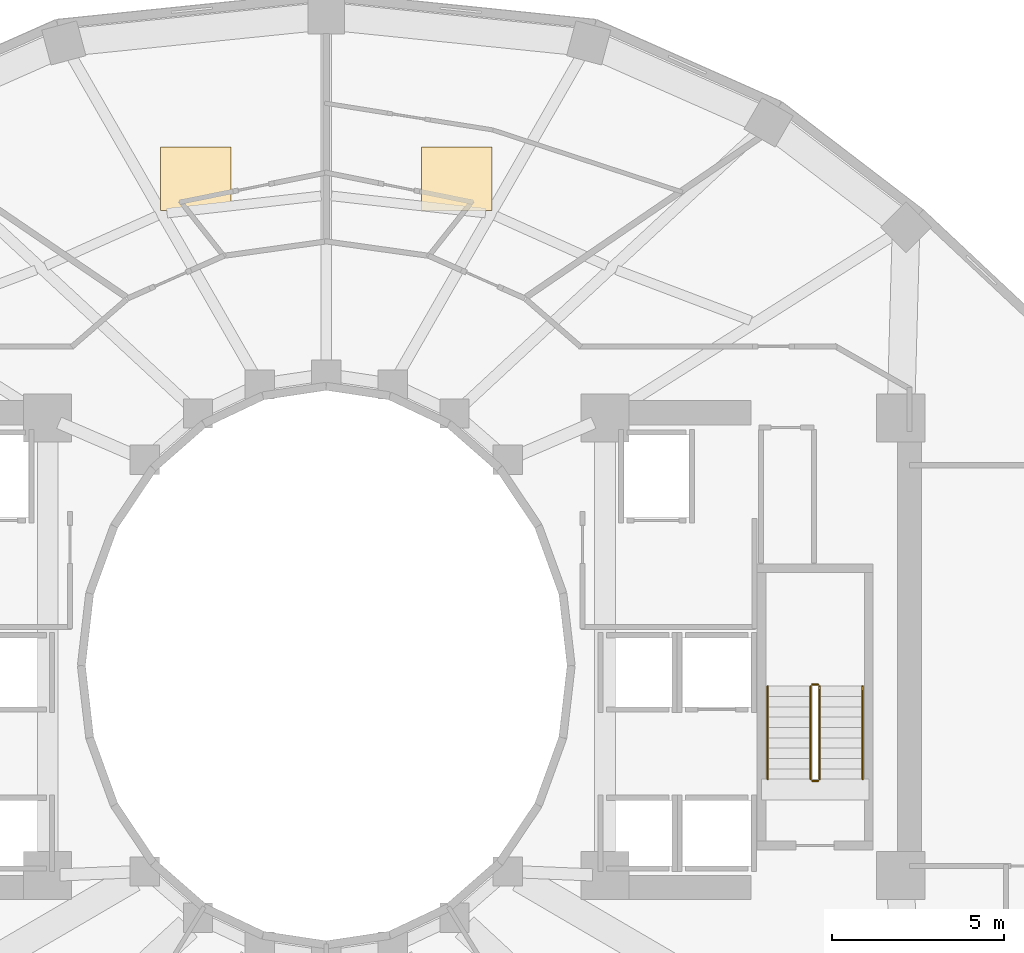
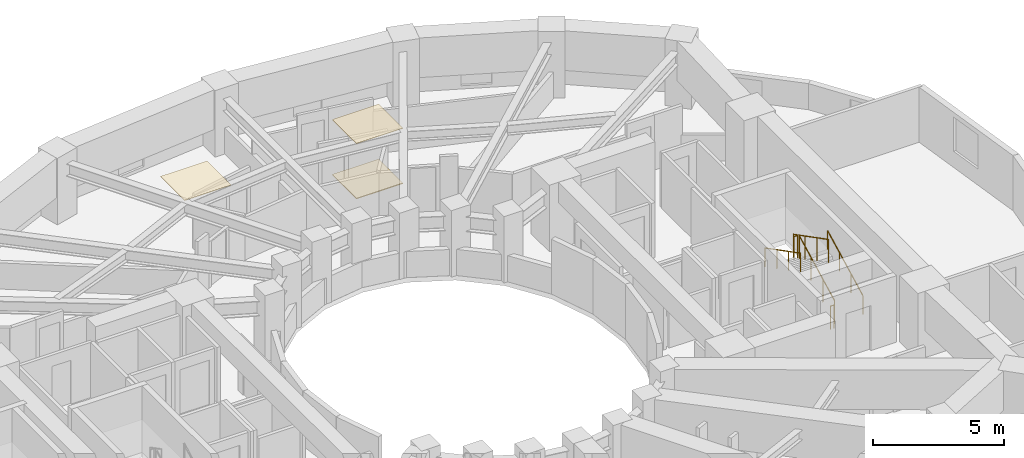
# One storey, part 9 of 9: 6 railings, 3 coverings.
"""IFC4 building model written with IfcOpenShell, lengths in metres."""

from ifc_helpers import new_model, si_unit, direction, frame, origin, origin_2d, place, context, subcontext, project, spatial, polyline, circle, outline, extrude, material, layer, layer_set, type_object, element, save


model = new_model("IFC4")

# Units and contexts
model_context = context("Model", 3, precision=1e-05, world=origin(), true_north=direction((0.0, 1.0)))
body_context = subcontext(model_context, "Body", "Model", "MODEL_VIEW")
ifc_project = project(units=[si_unit("LENGTHUNIT", "METRE"), si_unit("AREAUNIT", "SQUARE_METRE"), si_unit("VOLUMEUNIT", "CUBIC_METRE"), si_unit("PLANEANGLEUNIT", "RADIAN"), si_unit("MASSUNIT", "GRAM", prefix="KILO")], contexts=[model_context])

# Site, building, storey
site_placement = place(None, origin())
site = spatial("IfcSite", under=ifc_project, at=site_placement, CompositionType="ELEMENT")
building_placement = place(site_placement, origin())
building = spatial("IfcBuilding", under=site, at=building_placement, Name="Solvane Sanctuary Tower", CompositionType="ELEMENT")
storey_placement = place(building_placement, frame((0.0, 0.0, 110.39990234375)))
storey = spatial("IfcBuildingStorey", under=building, at=storey_placement, Name="L33", CompositionType="ELEMENT", Elevation=110.39990234375)

# Coverings
ifc_material_1 = material(Name="Acoustic Gypsum Partition Board")
ifc_layer_1 = layer(ifc_material_1, 0.02490234375, Name="Acoustic Gypsum Partition Board")
ifc_layer_set_1 = layer_set([ifc_layer_1], Name="Acoustic Gypsum Partition Board")
covering_type_1 = type_object("IfcCoveringType", Name="Covering CLG-ACOUST", PredefinedType="CEILING", material=ifc_layer_set_1)
covering_1_placement = place(storey_placement, frame((0.0, 0.0, 2.570068359375)))
element("IfcCovering", 1, at=covering_1_placement, inside=storey, type_object=covering_type_1, Name="L33 Unit Acoustic Ceiling Panel 1", PredefinedType="CEILING", context=body_context, shape_type="SweptSolid", body=[
    extrude(outline(polyline([(34.76708984375, 36.22607421875), (36.81689453125, 36.22607421875), (36.81689453125, 38.075927734375), (34.76708984375, 38.075927734375), (34.76708984375, 36.22607421875)])), origin(), (0.0, 0.0, 1.0), 0.030029296875),
])
covering_2_placement = place(storey_placement, frame((0.0, 0.0, 2.570068359375)))
element("IfcCovering", 2, at=covering_2_placement, inside=storey, type_object=covering_type_1, Name="L33 Unit Acoustic Ceiling Panel 2", PredefinedType="CEILING", context=body_context, shape_type="SweptSolid", body=[
    extrude(outline(polyline([(27.18310546875, 36.22607421875), (29.23291015625, 36.22607421875), (29.23291015625, 38.075927734375), (27.18310546875, 38.075927734375), (27.18310546875, 36.22607421875)])), origin(), (0.0, 0.0, 1.0), 0.030029296875),
])
ifc_material_2 = material(Name="Ceramic Tile Finish")
ifc_layer_2 = layer(ifc_material_2, 0.030029296875, Name="Ceramic Tile Finish")
ifc_layer_set_2 = layer_set([ifc_layer_2], Name="Ceramic Tile Finish")
covering_type_2 = type_object("IfcCoveringType", Name="Covering FLR-TERRAZZO", PredefinedType="FLOORING", material=ifc_layer_set_2)
covering_3_placement = place(storey_placement, origin())
element("IfcCovering", 3, at=covering_3_placement, inside=storey, type_object=covering_type_2, Name="L33 Unit Terrazzo Inlay 1", PredefinedType="FLOORING", context=body_context, shape_type="SweptSolid", body=[
    extrude(outline(polyline([(34.76708984375, 36.22607421875), (36.81689453125, 36.22607421875), (36.81689453125, 38.075927734375), (34.76708984375, 38.075927734375), (34.76708984375, 36.22607421875)])), origin(), (0.0, 0.0, 1.0), 0.03515625),
])

# Railings
ifc_material_3 = material(Name="Architectural Stainless Steel 316", Category="steel")
railing_type_1 = type_object("IfcRailingType", Name="Railing GR-BALC-1150", PredefinedType="BALUSTRADE", material=ifc_material_3)
railing_1_placement = place(storey_placement, frame((46.340087890625, 19.699951171875, 0.155029296875)))
element("IfcRailing", 4, at=railing_1_placement, inside=storey, type_object=railing_type_1, Name="L33 ST-2 stair guard 1", PredefinedType="BALUSTRADE", context=body_context, shape_type="SweptSolid", body=[
    extrude(circle(Radius=0.02392578125, at=origin_2d()), frame((0.0, 0.0, 1.076171875), z_axis=(0.0, 0.888419900624, 0.459031676658), x_axis=(-1.0, 0.0, 0.0)), (0.0, 0.0, 1.0), 3.0390625),
    extrude(circle(Radius=0.02099609375, at=origin_2d()), origin(), (0.0, 0.0, 1.0), 1.052001953125),
    extrude(circle(Radius=0.02099609375, at=origin_2d()), frame((0.0, 0.89990234375, 0.465087890625)), (0.0, 0.0, 1.0), 1.052001953125),
    extrude(circle(Radius=0.02099609375, at=origin_2d()), frame((0.0, 1.800048828125, 0.929931640625)), (0.0, 0.0, 1.0), 1.052001953125),
    extrude(circle(Radius=0.02099609375, at=origin_2d()), frame((0.0, 2.699951171875, 1.39501953125)), (0.0, 0.0, 1.0), 1.052001953125),
])
railing_2_placement = place(storey_placement, frame((46.2900390625, 22.449951171875, 1.550048828125)))
element("IfcRailing", 5, at=railing_2_placement, inside=storey, type_object=railing_type_1, Name="L33 ST-2 stair guard 2", PredefinedType="BALUSTRADE", context=body_context, shape_type="SweptSolid", body=[
    extrude(circle(Radius=0.02392578125, at=origin_2d()), frame((0.0, 0.0, 1.076171875), z_axis=(-1.0, 0.0, 0.0), x_axis=(0.0, -1.0, 0.0)), (0.0, 0.0, 1.0), 0.16015625),
    extrude(circle(Radius=0.02099609375, at=origin_2d()), origin(), (0.0, 0.0, 1.0), 1.052001953125),
    extrude(circle(Radius=0.02099609375, at=origin_2d()), frame((-0.16015625, 0.0, 0.0)), (0.0, 0.0, 1.0), 1.052001953125),
])
railing_3_placement = place(storey_placement, frame((46.080078125, 22.39990234375, 1.705078125)))
element("IfcRailing", 6, at=railing_3_placement, inside=storey, type_object=railing_type_1, Name="L33 ST-2 stair guard 3", PredefinedType="BALUSTRADE", context=body_context, shape_type="SweptSolid", body=[
    extrude(circle(Radius=0.02392578125, at=origin_2d()), frame((0.0, 0.0, 1.076171875), z_axis=(0.0, -0.888419900624, 0.459031676658), x_axis=(1.0, 0.0, 0.0)), (0.0, 0.0, 1.0), 3.0390625),
    extrude(circle(Radius=0.02099609375, at=origin_2d()), origin(), (0.0, 0.0, 1.0), 1.052001953125),
    extrude(circle(Radius=0.02099609375, at=origin_2d()), frame((0.0, -0.89990234375, 0.465087890625)), (0.0, 0.0, 1.0), 1.052001953125),
    extrude(circle(Radius=0.02099609375, at=origin_2d()), frame((0.0, -1.800048828125, 0.929931640625)), (0.0, 0.0, 1.0), 1.052001953125),
    extrude(circle(Radius=0.02099609375, at=origin_2d()), frame((0.0, -2.699951171875, 1.39501953125)), (0.0, 0.0, 1.0), 1.052001953125),
])
railing_4_placement = place(storey_placement, frame((46.2900390625, 19.64990234375, 0.0)))
element("IfcRailing", 7, at=railing_4_placement, inside=storey, type_object=railing_type_1, Name="L33 ST-2 stair guard 4", PredefinedType="BALUSTRADE", context=body_context, shape_type="SweptSolid", body=[
    extrude(circle(Radius=0.02392578125, at=origin_2d()), frame((0.0, 0.0, 1.076171875), z_axis=(-1.0, 0.0, 0.0), x_axis=(0.0, -1.0, 0.0)), (0.0, 0.0, 1.0), 0.16015625),
    extrude(circle(Radius=0.02099609375, at=origin_2d()), origin(), (0.0, 0.0, 1.0), 1.052001953125),
    extrude(circle(Radius=0.02099609375, at=origin_2d()), frame((-0.16015625, 0.0, 0.0)), (0.0, 0.0, 1.0), 1.052001953125),
])
railing_type_2 = type_object("IfcRailingType", Name="Railing HR-STAIR-920", PredefinedType="HANDRAIL", material=ifc_material_3)
railing_5_placement = place(storey_placement, frame((47.590087890625, 19.699951171875, 0.155029296875)))
element("IfcRailing", 8, at=railing_5_placement, inside=storey, type_object=railing_type_2, Name="L33 ST-2 stair handrail 1", PredefinedType="HANDRAIL", context=body_context, shape_type="SweptSolid", body=[
    extrude(circle(Radius=0.02392578125, at=origin_2d()), frame((0.0, 0.0, 0.8759765625), z_axis=(0.0, 0.888419900624, 0.459031676658), x_axis=(-1.0, 0.0, 0.0)), (0.0, 0.0, 1.0), 3.0390625),
    extrude(circle(Radius=0.02099609375, at=origin_2d()), origin(), (0.0, 0.0, 1.0), 0.851806640625),
    extrude(circle(Radius=0.02099609375, at=origin_2d()), frame((0.0, 0.89990234375, 0.465087890625)), (0.0, 0.0, 1.0), 0.851806640625),
    extrude(circle(Radius=0.02099609375, at=origin_2d()), frame((0.0, 1.800048828125, 0.929931640625)), (0.0, 0.0, 1.0), 0.851806640625),
    extrude(circle(Radius=0.02099609375, at=origin_2d()), frame((0.0, 2.699951171875, 1.39501953125)), (0.0, 0.0, 1.0), 0.851806640625),
])
railing_6_placement = place(storey_placement, frame((44.830078125, 22.39990234375, 1.705078125)))
element("IfcRailing", 9, at=railing_6_placement, inside=storey, type_object=railing_type_2, Name="L33 ST-2 stair handrail 2", PredefinedType="HANDRAIL", context=body_context, shape_type="SweptSolid", body=[
    extrude(circle(Radius=0.02392578125, at=origin_2d()), frame((0.0, 0.0, 0.8759765625), z_axis=(0.0, -0.888419900624, 0.459031676658), x_axis=(1.0, 0.0, 0.0)), (0.0, 0.0, 1.0), 3.0390625),
    extrude(circle(Radius=0.02099609375, at=origin_2d()), origin(), (0.0, 0.0, 1.0), 0.851806640625),
    extrude(circle(Radius=0.02099609375, at=origin_2d()), frame((0.0, -0.89990234375, 0.465087890625)), (0.0, 0.0, 1.0), 0.851806640625),
    extrude(circle(Radius=0.02099609375, at=origin_2d()), frame((0.0, -1.800048828125, 0.929931640625)), (0.0, 0.0, 1.0), 0.851806640625),
    extrude(circle(Radius=0.02099609375, at=origin_2d()), frame((0.0, -2.699951171875, 1.39501953125)), (0.0, 0.0, 1.0), 0.851806640625),
])

save(model, "model.ifc")
